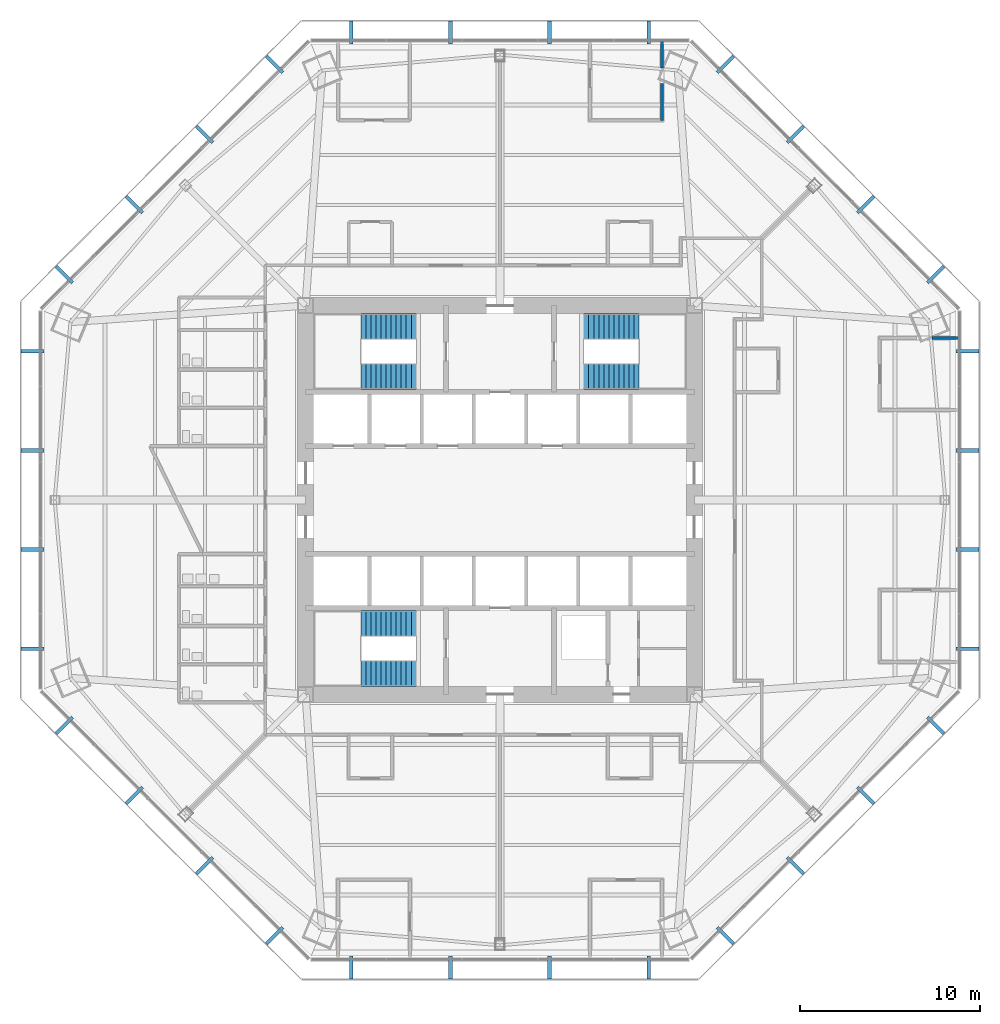
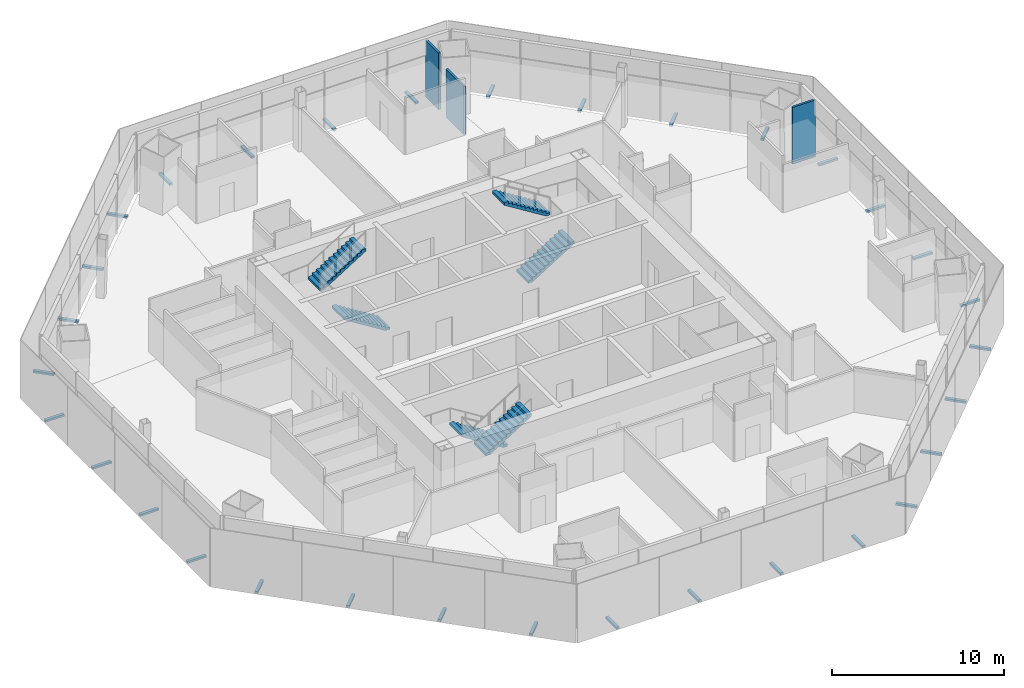
# One storey, part 13 of 17: 32 discrete accessories, 6 stair flights, 3 walls, 3 elements without a shape of their own.
"""IFC4 building model written with IfcOpenShell, lengths in metres."""

from ifc_helpers import new_model, si_unit, direction, frame, frame_2d, origin, origin_2d, place, context, subcontext, project, spatial, polyline, rectangle, outline, extrude, source, transform, mapped, material, layer, layer_set, type_object, type_shapes, element, aggregate, save


model = new_model("IFC4")

# Units and contexts
model_context = context("Model", 3, precision=1e-05, world=origin(), true_north=direction((0.0, 1.0)))
body_context = subcontext(model_context, "Body", "Model", "MODEL_VIEW")
ifc_project = project(units=[si_unit("LENGTHUNIT", "METRE"), si_unit("AREAUNIT", "SQUARE_METRE"), si_unit("VOLUMEUNIT", "CUBIC_METRE"), si_unit("PLANEANGLEUNIT", "RADIAN"), si_unit("MASSUNIT", "GRAM", prefix="KILO")], contexts=[model_context])

# Site, building, storey
site_placement = place(None, origin())
site = spatial("IfcSite", under=ifc_project, at=site_placement, CompositionType="ELEMENT")
building_placement = place(site_placement, origin())
building = spatial("IfcBuilding", under=site, at=building_placement, Name="Mashrafa Tower", CompositionType="ELEMENT")
storey_placement = place(building_placement, frame((0.0, 0.0, 87.60009765625)))
storey = spatial("IfcBuildingStorey", under=building, at=storey_placement, Name="L19", CompositionType="ELEMENT", Elevation=87.60009765625)

# Walls
ifc_material_1 = material(Name="Gypsum board on steel studs", Category="steel")
ifc_layer = layer(ifc_material_1, 0.14990234375)
ifc_layer_set = layer_set([ifc_layer], Name="Partition 150")
wall_type = type_object("IfcWallType", Name="Partition 150", PredefinedType="PARTITIONING", material=ifc_layer_set)
wall_placement = place(storey_placement, frame((9.0, 21.086669921875, 0.0), z_axis=(0.0, 0.0, 1.0), x_axis=(0.0, 1.0, 0.0)))
element("IfcWall", 1, at=wall_placement, inside=storey, type_object=wall_type, Name="Partition wall L19-058", PredefinedType="PARTITIONING", context=body_context, shape_type="SweptSolid", body=[
    extrude(rectangle(XDim=2.05712890625, YDim=0.14990234375, at=frame_2d((1.028564453125, 0.0))), origin(), (0.0, 0.0, 1.0), 3.4228515625),
])
for number, where, z_axis, x_axis, name in (
    (2, (9.0, 23.998779296875, 0.0), (0.0, 0.0, 1.0), (0.0, 1.0, 0.0), "Partition wall L19-059"),
    (3, (25.5185546875, 9.0, 0.0), (0.0, 0.0, 1.0), (-1.0, 0.0, 0.0), "Partition wall L19-091"),
):
    element("IfcWall", number, at=place(storey_placement, frame(where, z_axis=z_axis, x_axis=x_axis)), inside=storey, type_object=wall_type, Name=name, PredefinedType="PARTITIONING", context=body_context, shape_type="SweptSolid", body=[
        extrude(rectangle(XDim=1.519775390625, YDim=0.14990234375, at=frame_2d((0.759765625, 0.0))), origin(), (0.0, 0.0, 1.0), 4.034912109375),
    ])

# Stair, stair flights
ifc_material_2 = material(Name="Exit stair 1400")
stair_type = type_object("IfcStairType", Name="Exit stair 1400", PredefinedType="HALF_TURN_STAIR", material=ifc_material_2)
stair_1_placement = place(storey_placement, origin())
stair_1 = element("IfcStair", 4, at=stair_1_placement, inside=storey, type_object=stair_type, Name="Stair S1 L19", PredefinedType="HALF_TURN_STAIR")
ifc_material_3 = material(Name="Concrete C32/40", Category="concrete")
stair_flight_type = type_object("IfcStairFlightType", Name="Stair flight 1400", PredefinedType="STRAIGHT", material=ifc_material_3)
stair_flight_1_placement = place(storey_placement, frame((-4.64990234375, 6.85009765625, 0.0), z_axis=(0.0, 0.0, 1.0), x_axis=(-1.0, 0.0, 0.0)))
stair_flight_1 = element("IfcStairFlight", 5, at=stair_flight_1_placement, type_object=stair_flight_type, Name="S1 flight 1", NumberOfRisers=12, NumberOfTreads=11, PredefinedType="STRAIGHT", RiserHeight=0.175, TreadLength=0.28, context=body_context, shape_type="SweptSolid", body=[
    extrude(outline(polyline([(0.0, 0.0), (0.0, 0.175048828125), (0.280029296875, 0.175048828125), (0.280029296875, 0.35009765625), (0.56005859375, 0.35009765625), (0.56005859375, 0.52490234375), (0.840087890625, 0.52490234375), (0.840087890625, 0.699951171875), (1.1201171875, 0.699951171875), (1.1201171875, 0.875), (1.39990234375, 0.875), (1.39990234375, 1.050048828125), (1.679931640625, 1.050048828125), (1.679931640625, 1.22509765625), (1.9599609375, 1.22509765625), (1.9599609375, 1.39990234375), (2.239990234375, 1.39990234375), (2.239990234375, 1.574951171875), (2.52001953125, 1.574951171875), (2.52001953125, 1.75), (2.800048828125, 1.75), (2.800048828125, 1.925048828125), (3.080078125, 1.925048828125), (3.080078125, 2.10009765625), (3.080078125, 1.748291015625), (0.28271484375, 0.0), (0.0, 0.0)])), frame((0.0, 0.699951171875, 0.0), z_axis=(0.0, -1.0, 0.0), x_axis=(1.0, 0.0, 0.0)), (0.0, 0.0, 1.0), 1.39990234375),
])
stair_flight_2_placement = place(storey_placement, frame((-7.72998046875, 9.64990234375, 2.099853515625), z_axis=(0.0, 0.0, 1.0), x_axis=(1.0, 0.0, 0.0)))
stair_flight_2 = element("IfcStairFlight", 6, at=stair_flight_2_placement, type_object=stair_flight_type, Name="S1 flight 2", NumberOfRisers=12, NumberOfTreads=11, PredefinedType="STRAIGHT", RiserHeight=0.175, TreadLength=0.28, context=body_context, shape_type="SweptSolid", body=[
    extrude(outline(polyline([(0.0, 0.0), (0.0, 0.175048828125), (0.280029296875, 0.175048828125), (0.280029296875, 0.35009765625), (0.56005859375, 0.35009765625), (0.56005859375, 0.52490234375), (0.840087890625, 0.52490234375), (0.840087890625, 0.699951171875), (1.1201171875, 0.699951171875), (1.1201171875, 0.875), (1.39990234375, 0.875), (1.39990234375, 1.050048828125), (1.679931640625, 1.050048828125), (1.679931640625, 1.22509765625), (1.9599609375, 1.22509765625), (1.9599609375, 1.39990234375), (2.239990234375, 1.39990234375), (2.239990234375, 1.574951171875), (2.52001953125, 1.574951171875), (2.52001953125, 1.75), (2.800048828125, 1.75), (2.800048828125, 1.925048828125), (3.080078125, 1.925048828125), (3.080078125, 2.10009765625), (3.080078125, 1.748291015625), (0.28271484375, 0.0), (0.0, 0.0)])), frame((0.0, 0.699951171875, 0.0), z_axis=(0.0, -1.0, 0.0), x_axis=(1.0, 0.0, 0.0)), (0.0, 0.0, 1.0), 1.39990234375),
])
aggregate(stair_1, [stair_flight_1, stair_flight_2])

stair_2_placement = place(storey_placement, origin())
stair_2 = element("IfcStair", 7, at=stair_2_placement, inside=storey, type_object=stair_type, Name="Stair S2 L19", PredefinedType="HALF_TURN_STAIR")
stair_flight_3_placement = place(storey_placement, frame((4.64990234375, 6.85009765625, 0.0), z_axis=(0.0, 0.0, 1.0), x_axis=(1.0, 0.0, 0.0)))
stair_flight_3 = element("IfcStairFlight", 8, at=stair_flight_3_placement, type_object=stair_flight_type, Name="S2 flight 1", NumberOfRisers=12, NumberOfTreads=11, PredefinedType="STRAIGHT", RiserHeight=0.175, TreadLength=0.28, context=body_context, shape_type="SweptSolid", body=[
    extrude(outline(polyline([(0.0, 0.0), (0.0, 0.175048828125), (0.280029296875, 0.175048828125), (0.280029296875, 0.35009765625), (0.56005859375, 0.35009765625), (0.56005859375, 0.52490234375), (0.840087890625, 0.52490234375), (0.840087890625, 0.699951171875), (1.1201171875, 0.699951171875), (1.1201171875, 0.875), (1.39990234375, 0.875), (1.39990234375, 1.050048828125), (1.679931640625, 1.050048828125), (1.679931640625, 1.22509765625), (1.9599609375, 1.22509765625), (1.9599609375, 1.39990234375), (2.239990234375, 1.39990234375), (2.239990234375, 1.574951171875), (2.52001953125, 1.574951171875), (2.52001953125, 1.75), (2.800048828125, 1.75), (2.800048828125, 1.925048828125), (3.080078125, 1.925048828125), (3.080078125, 2.10009765625), (3.080078125, 1.748291015625), (0.28271484375, 0.0), (0.0, 0.0)])), frame((0.0, 0.699951171875, 0.0), z_axis=(0.0, -1.0, 0.0), x_axis=(1.0, 0.0, 0.0)), (0.0, 0.0, 1.0), 1.39990234375),
])
stair_flight_4_placement = place(storey_placement, frame((7.72998046875, 9.64990234375, 2.099853515625), z_axis=(0.0, 0.0, 1.0), x_axis=(-1.0, 0.0, 0.0)))
stair_flight_4 = element("IfcStairFlight", 9, at=stair_flight_4_placement, type_object=stair_flight_type, Name="S2 flight 2", NumberOfRisers=12, NumberOfTreads=11, PredefinedType="STRAIGHT", RiserHeight=0.175, TreadLength=0.28, context=body_context, shape_type="SweptSolid", body=[
    extrude(outline(polyline([(0.0, 0.0), (0.0, 0.175048828125), (0.280029296875, 0.175048828125), (0.280029296875, 0.35009765625), (0.56005859375, 0.35009765625), (0.56005859375, 0.52490234375), (0.840087890625, 0.52490234375), (0.840087890625, 0.699951171875), (1.1201171875, 0.699951171875), (1.1201171875, 0.875), (1.39990234375, 0.875), (1.39990234375, 1.050048828125), (1.679931640625, 1.050048828125), (1.679931640625, 1.22509765625), (1.9599609375, 1.22509765625), (1.9599609375, 1.39990234375), (2.239990234375, 1.39990234375), (2.239990234375, 1.574951171875), (2.52001953125, 1.574951171875), (2.52001953125, 1.75), (2.800048828125, 1.75), (2.800048828125, 1.925048828125), (3.080078125, 1.925048828125), (3.080078125, 2.10009765625), (3.080078125, 1.748291015625), (0.28271484375, 0.0), (0.0, 0.0)])), frame((0.0, 0.699951171875, 0.0), z_axis=(0.0, -1.0, 0.0), x_axis=(1.0, 0.0, 0.0)), (0.0, 0.0, 1.0), 1.39990234375),
])
aggregate(stair_2, [stair_flight_3, stair_flight_4])

stair_3_placement = place(storey_placement, origin())
stair_3 = element("IfcStair", 10, at=stair_3_placement, inside=storey, type_object=stair_type, Name="Stair S3 L19", PredefinedType="HALF_TURN_STAIR")
stair_flight_5_placement = place(storey_placement, frame((-4.64990234375, -6.85009765625, 0.0), z_axis=(0.0, 0.0, 1.0), x_axis=(-1.0, 0.0, 0.0)))
stair_flight_5 = element("IfcStairFlight", 11, at=stair_flight_5_placement, type_object=stair_flight_type, Name="S3 flight 1", NumberOfRisers=12, NumberOfTreads=11, PredefinedType="STRAIGHT", RiserHeight=0.175, TreadLength=0.28, context=body_context, shape_type="SweptSolid", body=[
    extrude(outline(polyline([(0.0, 0.0), (0.0, 0.175048828125), (0.280029296875, 0.175048828125), (0.280029296875, 0.35009765625), (0.56005859375, 0.35009765625), (0.56005859375, 0.52490234375), (0.840087890625, 0.52490234375), (0.840087890625, 0.699951171875), (1.1201171875, 0.699951171875), (1.1201171875, 0.875), (1.39990234375, 0.875), (1.39990234375, 1.050048828125), (1.679931640625, 1.050048828125), (1.679931640625, 1.22509765625), (1.9599609375, 1.22509765625), (1.9599609375, 1.39990234375), (2.239990234375, 1.39990234375), (2.239990234375, 1.574951171875), (2.52001953125, 1.574951171875), (2.52001953125, 1.75), (2.800048828125, 1.75), (2.800048828125, 1.925048828125), (3.080078125, 1.925048828125), (3.080078125, 2.10009765625), (3.080078125, 1.748291015625), (0.28271484375, 0.0), (0.0, 0.0)])), frame((0.0, 0.699951171875, 0.0), z_axis=(0.0, -1.0, 0.0), x_axis=(1.0, 0.0, 0.0)), (0.0, 0.0, 1.0), 1.39990234375),
])
stair_flight_6_placement = place(storey_placement, frame((-7.72998046875, -9.64990234375, 2.099853515625), z_axis=(0.0, 0.0, 1.0), x_axis=(1.0, 0.0, 0.0)))
stair_flight_6 = element("IfcStairFlight", 12, at=stair_flight_6_placement, type_object=stair_flight_type, Name="S3 flight 2", NumberOfRisers=12, NumberOfTreads=11, PredefinedType="STRAIGHT", RiserHeight=0.175, TreadLength=0.28, context=body_context, shape_type="SweptSolid", body=[
    extrude(outline(polyline([(0.0, 0.0), (0.0, 0.175048828125), (0.280029296875, 0.175048828125), (0.280029296875, 0.35009765625), (0.56005859375, 0.35009765625), (0.56005859375, 0.52490234375), (0.840087890625, 0.52490234375), (0.840087890625, 0.699951171875), (1.1201171875, 0.699951171875), (1.1201171875, 0.875), (1.39990234375, 0.875), (1.39990234375, 1.050048828125), (1.679931640625, 1.050048828125), (1.679931640625, 1.22509765625), (1.9599609375, 1.22509765625), (1.9599609375, 1.39990234375), (2.239990234375, 1.39990234375), (2.239990234375, 1.574951171875), (2.52001953125, 1.574951171875), (2.52001953125, 1.75), (2.800048828125, 1.75), (2.800048828125, 1.925048828125), (3.080078125, 1.925048828125), (3.080078125, 2.10009765625), (3.080078125, 1.748291015625), (0.28271484375, 0.0), (0.0, 0.0)])), frame((0.0, 0.699951171875, 0.0), z_axis=(0.0, -1.0, 0.0), x_axis=(1.0, 0.0, 0.0)), (0.0, 0.0, 1.0), 1.39990234375),
])
aggregate(stair_3, [stair_flight_5, stair_flight_6])

# Discrete accessories
ifc_material_4 = material(Name="Stainless steel screen bracket", Category="steel")
discrete_accessory_type = type_object("IfcDiscreteAccessoryType", Name="Screen support bracket 200 x 150", PredefinedType="BRACKET", material=ifc_material_4)
shared_shape = source(origin(), body_context, "Body", "SweptSolid", [
    extrude(rectangle(XDim=0.199951171875, YDim=1.27001953125, at=origin_2d()), origin(), (0.0, 0.0, 1.0), 0.14990234375),
])
type_shapes(discrete_accessory_type, [shared_shape])
for number, where, z_axis, x_axis, name in (
    (13, (25.9716796875, -8.258056640625, -0.150146484375), (0.0, 0.0, 1.0), (0.0, 1.0, 0.0), "Screen support bracket L19 east 1"),
    (14, (25.9716796875, -2.752685546875, -0.150146484375), (0.0, 0.0, 1.0), (0.0, 1.0, 0.0), "Screen support bracket L19 east 2"),
    (15, (25.9716796875, 2.752685546875, -0.150146484375), (0.0, 0.0, 1.0), (0.0, 1.0, 0.0), "Screen support bracket L19 east 3"),
    (16, (25.9716796875, 8.258056640625, -0.150146484375), (0.0, 0.0, 1.0), (0.0, 1.0, 0.0), "Screen support bracket L19 east 4"),
    (17, (24.2041015625, 12.525390625, -0.150146484375), (0.0, 0.0, 1.0), (-0.707106781187, 0.707106781187, 0.0), "Screen support bracket L19 north-east 1"),
    (18, (20.311279296875, 16.418212890625, -0.150146484375), (0.0, 0.0, 1.0), (-0.707106781187, 0.707106781187, 0.0), "Screen support bracket L19 north-east 2"),
    (19, (16.418212890625, 20.311279296875, -0.150146484375), (0.0, 0.0, 1.0), (-0.707106781187, 0.707106781187, 0.0), "Screen support bracket L19 north-east 3"),
    (20, (12.525390625, 24.2041015625, -0.150146484375), (0.0, 0.0, 1.0), (-0.707106781187, 0.707106781187, 0.0), "Screen support bracket L19 north-east 4"),
    (21, (8.258056640625, 25.9716796875, -0.150146484375), (0.0, 0.0, 1.0), (-1.0, 0.0, 0.0), "Screen support bracket L19 north 1"),
    (22, (2.752685546875, 25.9716796875, -0.150146484375), (0.0, 0.0, 1.0), (-1.0, 0.0, 0.0), "Screen support bracket L19 north 2"),
    (23, (-2.752685546875, 25.9716796875, -0.150146484375), (0.0, 0.0, 1.0), (-1.0, 0.0, 0.0), "Screen support bracket L19 north 3"),
    (24, (-8.258056640625, 25.9716796875, -0.150146484375), (0.0, 0.0, 1.0), (-1.0, 0.0, 0.0), "Screen support bracket L19 north 4"),
    (25, (-12.525390625, 24.2041015625, -0.150146484375), (0.0, 0.0, 1.0), (-0.707106781187, -0.707106781187, 0.0), "Screen support bracket L19 north-west 1"),
    (26, (-16.418212890625, 20.311279296875, -0.150146484375), (0.0, 0.0, 1.0), (-0.707106781187, -0.707106781187, 0.0), "Screen support bracket L19 north-west 2"),
    (27, (-20.311279296875, 16.418212890625, -0.150146484375), (0.0, 0.0, 1.0), (-0.707106781187, -0.707106781187, 0.0), "Screen support bracket L19 north-west 3"),
    (28, (-24.2041015625, 12.525390625, -0.150146484375), (0.0, 0.0, 1.0), (-0.707106781187, -0.707106781187, 0.0), "Screen support bracket L19 north-west 4"),
    (29, (-25.9716796875, 8.258056640625, -0.150146484375), (0.0, 0.0, 1.0), (0.0, -1.0, 0.0), "Screen support bracket L19 west 1"),
    (30, (-25.9716796875, 2.752685546875, -0.150146484375), (0.0, 0.0, 1.0), (0.0, -1.0, 0.0), "Screen support bracket L19 west 2"),
    (31, (-25.9716796875, -2.752685546875, -0.150146484375), (0.0, 0.0, 1.0), (0.0, -1.0, 0.0), "Screen support bracket L19 west 3"),
    (32, (-25.9716796875, -8.258056640625, -0.150146484375), (0.0, 0.0, 1.0), (0.0, -1.0, 0.0), "Screen support bracket L19 west 4"),
    (33, (-24.2041015625, -12.525390625, -0.150146484375), (0.0, 0.0, 1.0), (0.707106781187, -0.707106781187, 0.0), "Screen support bracket L19 south-west 1"),
    (34, (-20.311279296875, -16.418212890625, -0.150146484375), (0.0, 0.0, 1.0), (0.707106781187, -0.707106781187, 0.0), "Screen support bracket L19 south-west 2"),
    (35, (-16.418212890625, -20.311279296875, -0.150146484375), (0.0, 0.0, 1.0), (0.707106781187, -0.707106781187, 0.0), "Screen support bracket L19 south-west 3"),
    (36, (-12.525390625, -24.2041015625, -0.150146484375), (0.0, 0.0, 1.0), (0.707106781187, -0.707106781187, 0.0), "Screen support bracket L19 south-west 4"),
    (37, (-8.258056640625, -25.9716796875, -0.150146484375), (0.0, 0.0, 1.0), (1.0, 0.0, 0.0), "Screen support bracket L19 south 1"),
    (38, (-2.752685546875, -25.9716796875, -0.150146484375), (0.0, 0.0, 1.0), (1.0, 0.0, 0.0), "Screen support bracket L19 south 2"),
    (39, (2.752685546875, -25.9716796875, -0.150146484375), (0.0, 0.0, 1.0), (1.0, 0.0, 0.0), "Screen support bracket L19 south 3"),
    (40, (8.258056640625, -25.9716796875, -0.150146484375), (0.0, 0.0, 1.0), (1.0, 0.0, 0.0), "Screen support bracket L19 south 4"),
    (41, (12.525390625, -24.2041015625, -0.150146484375), (0.0, 0.0, 1.0), (0.707106781187, 0.707106781187, 0.0), "Screen support bracket L19 south-east 1"),
    (42, (16.418212890625, -20.311279296875, -0.150146484375), (0.0, 0.0, 1.0), (0.707106781187, 0.707106781187, 0.0), "Screen support bracket L19 south-east 2"),
    (43, (20.311279296875, -16.418212890625, -0.150146484375), (0.0, 0.0, 1.0), (0.707106781187, 0.707106781187, 0.0), "Screen support bracket L19 south-east 3"),
    (44, (24.2041015625, -12.525390625, -0.150146484375), (0.0, 0.0, 1.0), (0.707106781187, 0.707106781187, 0.0), "Screen support bracket L19 south-east 4"),
):
    element("IfcDiscreteAccessory", number, at=place(storey_placement, frame(where, z_axis=z_axis, x_axis=x_axis)), inside=storey, type_object=discrete_accessory_type, Name=name, PredefinedType="BRACKET", context=body_context, shape_type="MappedRepresentation", body=[
        mapped(shared_shape, transform((0.0, 0.0, 0.0))),
    ])

save(model, "model.ifc")
